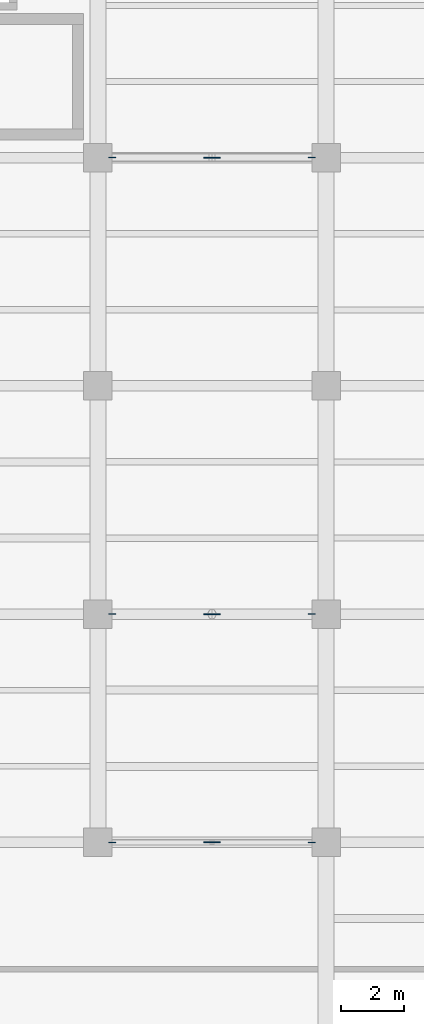
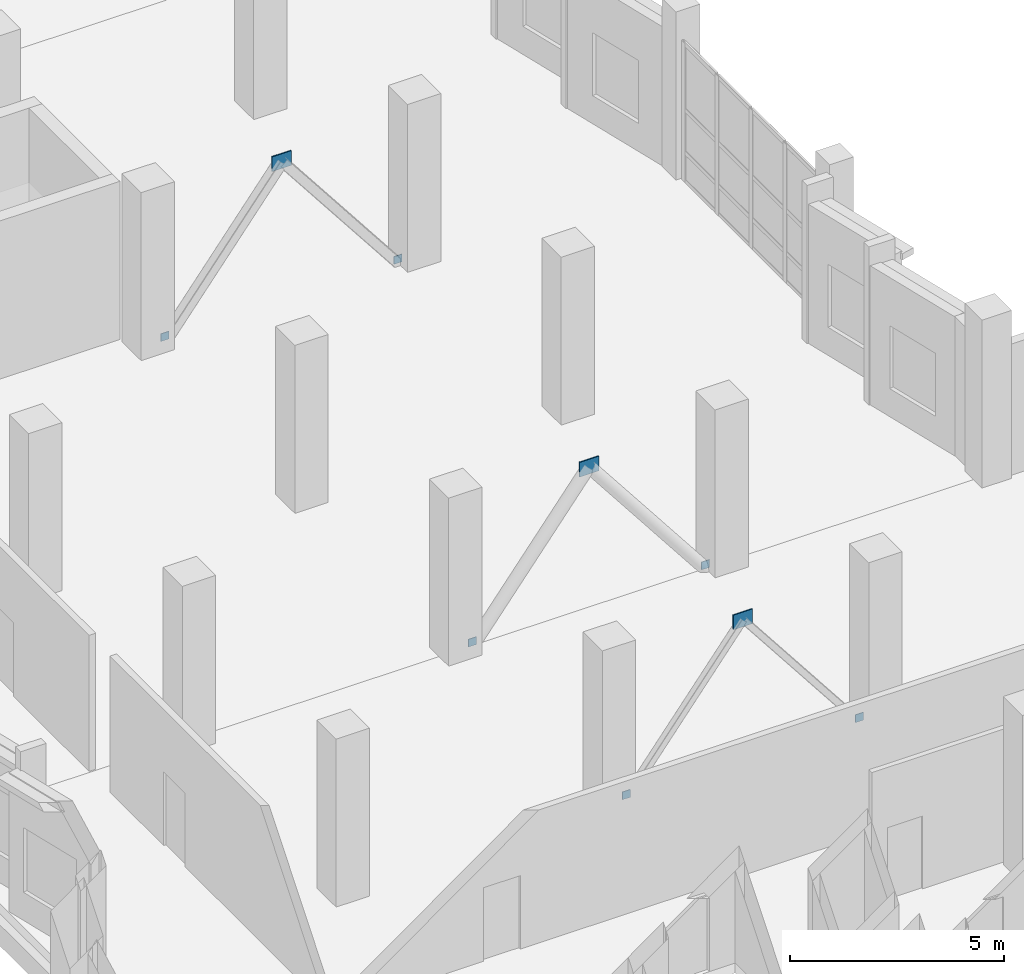
# One storey, part 88 of 127: 9 plates.
"""IFC4 building model written with IfcOpenShell, lengths in metres."""

from ifc_helpers import new_model, si_unit, direction, frame, origin, origin_2d, place, context, subcontext, project, spatial, rectangle, extrude, material, layer, layer_set, type_object, element, save


model = new_model("IFC4")

# Units and contexts
model_context = context("Model", 3, precision=1e-05, world=origin(), true_north=direction((0.0, 1.0)))
body_context = subcontext(model_context, "Body", "Model", "MODEL_VIEW")
ifc_project = project(units=[si_unit("LENGTHUNIT", "METRE"), si_unit("AREAUNIT", "SQUARE_METRE"), si_unit("VOLUMEUNIT", "CUBIC_METRE"), si_unit("PLANEANGLEUNIT", "RADIAN"), si_unit("MASSUNIT", "GRAM", prefix="KILO")], contexts=[model_context])

# Site, building, storey
site_placement = place(None, origin())
site = spatial("IfcSite", under=ifc_project, at=site_placement, CompositionType="ELEMENT")
building_placement = place(site_placement, origin())
building = spatial("IfcBuilding", under=site, at=building_placement, Name="Kalmorath City Hall", CompositionType="ELEMENT")
storey_placement = place(building_placement, frame((0.0, 0.0, 5.39990234375)))
storey = spatial("IfcBuildingStorey", under=building, at=storey_placement, Name="L01", CompositionType="ELEMENT", Elevation=5.39990234375)

# Plates
ifc_material_1 = material(Name="Steel ASTM A572 Grade 50", Category="steel")
ifc_layer_1 = layer(ifc_material_1, 0.02001953125)
ifc_layer_set_1 = layer_set([ifc_layer_1], Name="Steel ASTM A572 Grade 50")
plate_type_1 = type_object("IfcPlateType", Name="Steel HSS end-cap plate 220x220x20", PredefinedType="SHEET", material=ifc_layer_set_1)
for number, where, z_axis, x_axis, name in (
    (1, (14.85009765625, 28.800048828125, 0.0), (0.0, 0.0, 1.0), (1.0, 0.0, 0.0), "L01 brace foot end-plate GP5-3L"),
    (2, (21.14990234375, 28.800048828125, 0.0), (0.0, 0.0, 1.0), (1.0, 0.0, 0.0), "L01 brace foot end-plate GP5-3R"),
    (3, (14.85009765625, 36.0, 0.0), (0.0, 0.0, 1.0), (1.0, 0.0, 0.0), "L01 brace foot end-plate GP5-11L"),
    (4, (21.14990234375, 36.0, 0.0), (0.0, 0.0, 1.0), (1.0, 0.0, 0.0), "L01 brace foot end-plate GP5-11R"),
    (5, (14.85009765625, 50.39990234375, 0.0), (0.0, 0.0, 1.0), (1.0, 0.0, 0.0), "L01 brace foot end-plate GP5-18L"),
    (6, (21.14990234375, 50.39990234375, 0.0), (0.0, 0.0, 1.0), (1.0, 0.0, 0.0), "L01 brace foot end-plate GP5-18R"),
):
    element("IfcPlate", number, at=place(storey_placement, frame(where, z_axis=z_axis, x_axis=x_axis)), inside=storey, type_object=plate_type_1, Name=name, PredefinedType="SHEET", context=body_context, shape_type="SweptSolid", body=[
        extrude(rectangle(XDim=0.219970703125, YDim=0.02001953125, at=origin_2d()), origin(), (0.0, 0.0, 1.0), 0.219970703125),
    ])
ifc_material_2 = material(Name="Steel ASTM A572 Grade 50", Category="steel")
ifc_layer_2 = layer(ifc_material_2, 0.031982421875)
ifc_layer_set_2 = layer_set([ifc_layer_2], Name="Steel ASTM A572 Grade 50")
plate_type_2 = type_object("IfcPlateType", Name="Steel brace gusset plate 520x420x32", PredefinedType="USERDEFINED", material=ifc_layer_set_2)
for number, where, z_axis, x_axis, name in (
    (7, (18.0, 28.800048828125, 3.81005859375), (0.0, 0.0, 1.0), (1.0, 0.0, 0.0), "L01 brace gusset plate GP2-3"),
    (8, (18.0, 36.0, 3.81005859375), (0.0, 0.0, 1.0), (1.0, 0.0, 0.0), "L01 brace gusset plate GP2-11"),
    (9, (18.0, 50.39990234375, 3.81005859375), (0.0, 0.0, 1.0), (1.0, 0.0, 0.0), "L01 brace gusset plate GP2-18"),
):
    element("IfcPlate", number, at=place(storey_placement, frame(where, z_axis=z_axis, x_axis=x_axis)), inside=storey, type_object=plate_type_2, Name=name, ObjectType="GUSSET PLATE", PredefinedType="USERDEFINED", context=body_context, shape_type="SweptSolid", body=[
        extrude(rectangle(XDim=0.52001953125, YDim=0.031982421875, at=origin_2d()), origin(), (0.0, 0.0, 1.0), 0.419921875),
    ])

save(model, "model.ifc")
